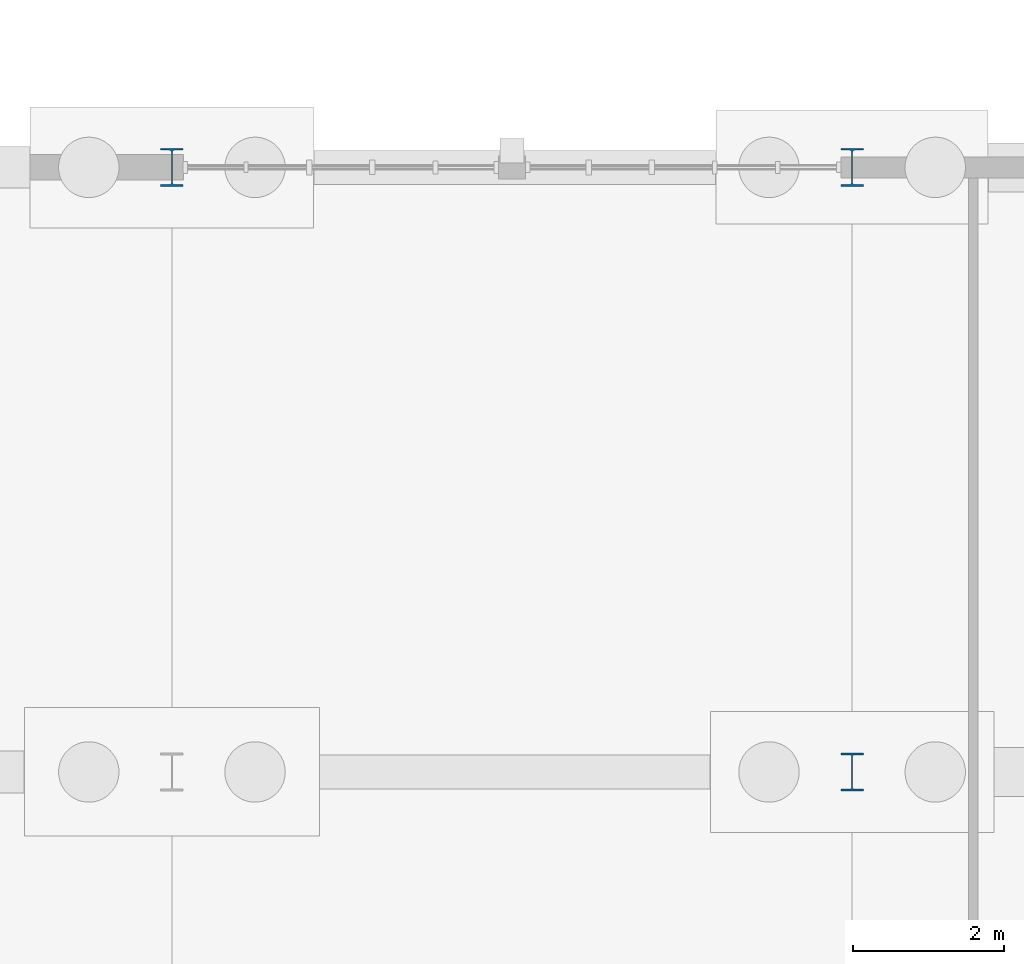
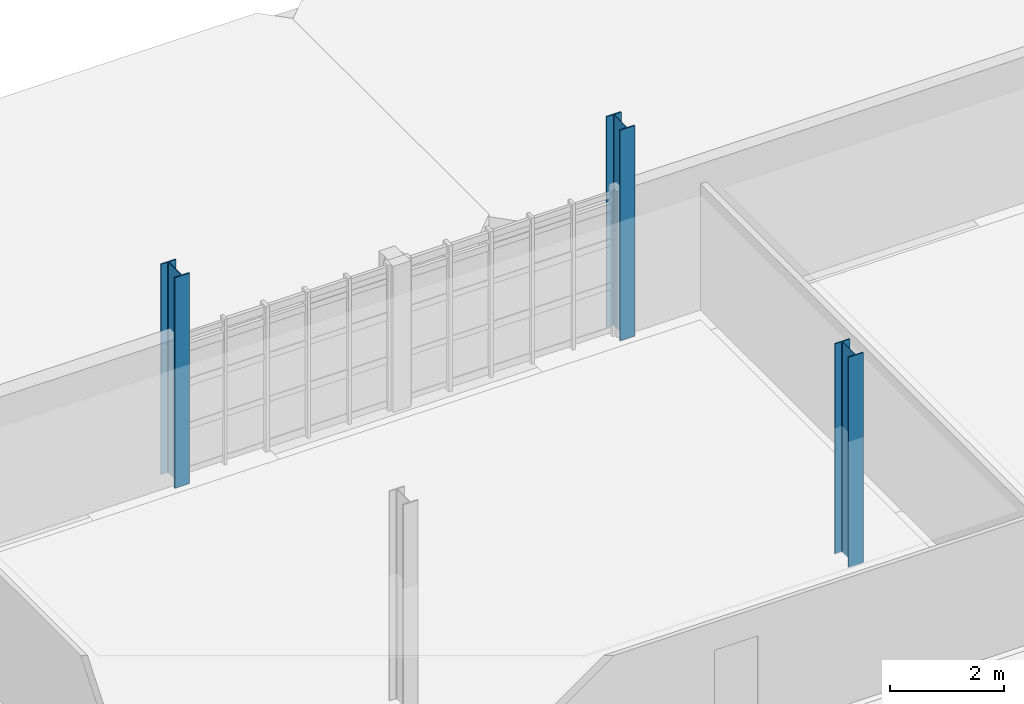
# One storey, part 8 of 125: 3 columns.
"""IFC4 building model written with IfcOpenShell, lengths in metres."""

from ifc_helpers import new_model, si_unit, direction, frame, origin, origin_2d, place, context, subcontext, project, spatial, i_section, extrude, material, material_profile, profile_set, type_object, element, save


model = new_model("IFC4")

# Units and contexts
model_context = context("Model", 3, precision=1e-05, world=origin(), true_north=direction((0.0, 1.0)))
body_context = subcontext(model_context, "Body", "Model", "MODEL_VIEW")
ifc_project = project(units=[si_unit("LENGTHUNIT", "METRE"), si_unit("AREAUNIT", "SQUARE_METRE"), si_unit("VOLUMEUNIT", "CUBIC_METRE"), si_unit("PLANEANGLEUNIT", "RADIAN"), si_unit("MASSUNIT", "GRAM", prefix="KILO")], contexts=[model_context])

# Site, building, storey
site_placement = place(None, origin())
site = spatial("IfcSite", under=ifc_project, at=site_placement, CompositionType="ELEMENT")
building_placement = place(site_placement, origin())
building = spatial("IfcBuilding", under=site, at=building_placement, Name="Serraforn Aerial Cableway Station", CompositionType="ELEMENT")
storey_placement = place(building_placement, frame((0.0, 0.0, 4.5)))
storey = spatial("IfcBuildingStorey", under=building, at=storey_placement, Name="L01", CompositionType="ELEMENT", Elevation=4.5)

# Columns
ifc_material = material(Name="Steel S355J2", Category="steel")
ifc_material_profile = material_profile(ifc_material, i_section(OverallWidth=0.300048828125, OverallDepth=0.5, WebThickness=0.011962890625, FlangeThickness=0.02294921875, FilletRadius=0.027099609375, at=origin_2d()), Name="HEA 500")
ifc_profile_set = profile_set([ifc_material_profile], Name="Steel S355J2")
column_type = type_object("IfcColumnType", Name="COL-ST-HEA500", PredefinedType="COLUMN", material=ifc_profile_set)
for number, where, z_axis, x_axis, name in (
    (1, (112.199951171875, 42.0, 0.0), (0.0, 0.0, 1.0), (1.0, 0.0, 0.0), "Column EL L01 15-F"),
    (2, (121.199951171875, 34.0, 0.0), (0.0, 0.0, 1.0), (1.0, 0.0, 0.0), "Column EL L01 16-D2"),
    (3, (121.199951171875, 42.0, 0.0), (0.0, 0.0, 1.0), (1.0, 0.0, 0.0), "Column EL L01 16-F"),
):
    element("IfcColumn", number, at=place(storey_placement, frame(where, z_axis=z_axis, x_axis=x_axis)), inside=storey, type_object=column_type, Name=name, PredefinedType="COLUMN", context=body_context, shape_type="SweptSolid", body=[
        extrude(i_section(OverallWidth=0.300048828125, OverallDepth=0.5, WebThickness=0.011962890625, FlangeThickness=0.02294921875, FilletRadius=0.027099609375, at=origin_2d()), origin(), (0.0, 0.0, 1.0), 4.5),
    ])

save(model, "model.ifc")
